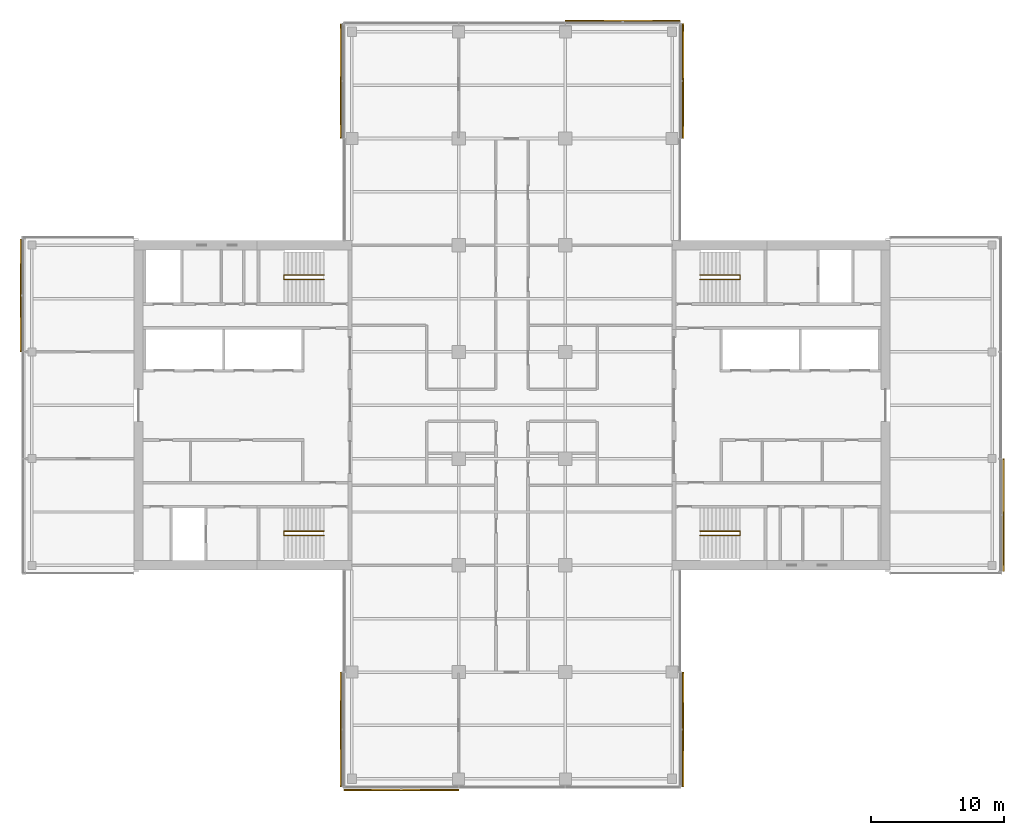
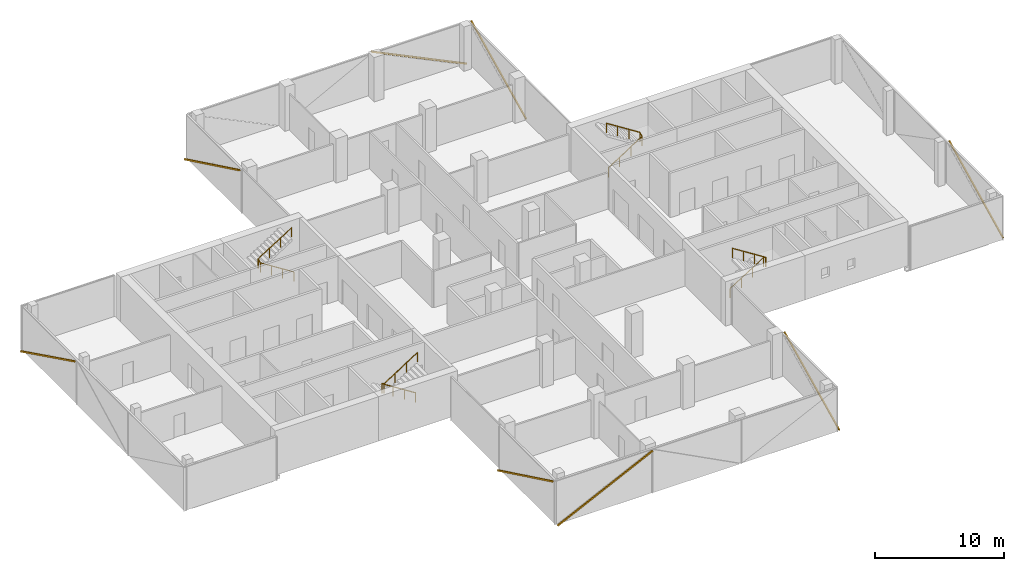
# One storey, part 22 of 22: 8 shading devices, 4 railings, 8 elements without a shape of their own.
"""IFC4 building model written with IfcOpenShell, lengths in metres."""

from ifc_helpers import new_model, si_unit, direction, frame, origin, origin_2d, place, context, subcontext, project, spatial, rectangle, circle, extrude, material, material_profile, profile_set, type_object, element, aggregate, save


model = new_model("IFC4")

# Units and contexts
model_context = context("Model", 3, precision=1e-05, world=origin(), true_north=direction((0.0, 1.0)))
body_context = subcontext(model_context, "Body", "Model", "MODEL_VIEW")
ifc_project = project(units=[si_unit("LENGTHUNIT", "METRE"), si_unit("AREAUNIT", "SQUARE_METRE"), si_unit("VOLUMEUNIT", "CUBIC_METRE"), si_unit("PLANEANGLEUNIT", "RADIAN"), si_unit("MASSUNIT", "GRAM", prefix="KILO")], contexts=[model_context])

# Site, building, storey
site_placement = place(None, origin())
site = spatial("IfcSite", under=ifc_project, at=site_placement, CompositionType="ELEMENT")
building_placement = place(site_placement, origin())
building = spatial("IfcBuilding", under=site, at=building_placement, Name="Crosswind Convention Tower", CompositionType="ELEMENT")
storey_placement = place(building_placement, frame((0.0, 0.0, 163.10009765625)))
storey = spatial("IfcBuildingStorey", under=building, at=storey_placement, Name="L34", CompositionType="ELEMENT", Elevation=163.10009765625)

# Railings
ifc_material_1 = material(Name="Stainless steel", Category="steel")
railing_type = type_object("IfcRailingType", Name="Stair handrail 900", PredefinedType="HANDRAIL", material=ifc_material_1)
railing_1_placement = place(storey_placement, frame((139.10009765625, 109.43994140625, 0.19091796875)))
element("IfcRailing", 1, at=railing_1_placement, inside=storey, type_object=railing_type, Name="Stair ST1 handrail L34", PredefinedType="HANDRAIL", context=body_context, shape_type="SweptSolid", body=[
    extrude(circle(Radius=0.02392578125, at=origin_2d()), frame((0.0, 0.0, 0.8759765625), z_axis=(0.843681277094, 0.0, 0.536844393359), x_axis=(0.0, 1.0, 0.0)), (0.0, 0.0, 1.0), 3.555908203125),
    extrude(circle(Radius=0.02392578125, at=origin_2d()), frame((3.0, 0.0, 2.78466796875), z_axis=(0.0, 0.858819504967, 0.512278301208), x_axis=(-1.0, 0.0, 0.0)), (0.0, 0.0, 1.0), 0.372802734375),
    extrude(circle(Radius=0.02392578125, at=origin_2d()), frame((3.0, 0.320068359375, 2.9755859375), z_axis=(-0.843650179428, 0.0, 0.536893261973), x_axis=(0.0, -1.0, 0.0)), (0.0, 0.0, 1.0), 3.555908203125),
    extrude(circle(Radius=0.02099609375, at=origin_2d()), origin(), (0.0, 0.0, 1.0), 0.851806640625),
    extrude(circle(Radius=0.02099609375, at=origin_2d()), frame((1.0, 0.0, 0.63623046875)), (0.0, 0.0, 1.0), 0.851806640625),
    extrude(circle(Radius=0.02099609375, at=origin_2d()), frame((2.0, 0.0, 1.272705078125)), (0.0, 0.0, 1.0), 0.851806640625),
    extrude(circle(Radius=0.02099609375, at=origin_2d()), frame((3.0, 0.0, 1.908935546875)), (0.0, 0.0, 1.0), 0.851806640625),
    extrude(circle(Radius=0.02099609375, at=origin_2d()), frame((3.0, 0.320068359375, 2.099853515625)), (0.0, 0.0, 1.0), 0.851806640625),
    extrude(circle(Radius=0.02099609375, at=origin_2d()), frame((2.0, 0.320068359375, 2.736328125)), (0.0, 0.0, 1.0), 0.851806640625),
    extrude(circle(Radius=0.02099609375, at=origin_2d()), frame((1.0, 0.320068359375, 3.37255859375)), (0.0, 0.0, 1.0), 0.851806640625),
    extrude(circle(Radius=0.02099609375, at=origin_2d()), frame((0.0, 0.320068359375, 4.009033203125)), (0.0, 0.0, 1.0), 0.851806640625),
])
railing_2_placement = place(storey_placement, frame((139.10009765625, 90.56005859375, 0.19091796875)))
element("IfcRailing", 2, at=railing_2_placement, inside=storey, type_object=railing_type, Name="Stair ST2 handrail L34", PredefinedType="HANDRAIL", context=body_context, shape_type="SweptSolid", body=[
    extrude(circle(Radius=0.02392578125, at=origin_2d()), frame((0.0, 0.0, 0.8759765625), z_axis=(0.843681277094, 0.0, 0.536844393359), x_axis=(0.0, 1.0, 0.0)), (0.0, 0.0, 1.0), 3.555908203125),
    extrude(circle(Radius=0.02392578125, at=origin_2d()), frame((3.0, 0.0, 2.78466796875), z_axis=(0.0, -0.858819504967, 0.512278301208), x_axis=(1.0, 0.0, 0.0)), (0.0, 0.0, 1.0), 0.372802734375),
    extrude(circle(Radius=0.02392578125, at=origin_2d()), frame((3.0, -0.320068359375, 2.9755859375), z_axis=(-0.843650179428, 0.0, 0.536893261973), x_axis=(0.0, -1.0, 0.0)), (0.0, 0.0, 1.0), 3.555908203125),
    extrude(circle(Radius=0.02099609375, at=origin_2d()), origin(), (0.0, 0.0, 1.0), 0.851806640625),
    extrude(circle(Radius=0.02099609375, at=origin_2d()), frame((1.0, 0.0, 0.63623046875)), (0.0, 0.0, 1.0), 0.851806640625),
    extrude(circle(Radius=0.02099609375, at=origin_2d()), frame((2.0, 0.0, 1.272705078125)), (0.0, 0.0, 1.0), 0.851806640625),
    extrude(circle(Radius=0.02099609375, at=origin_2d()), frame((3.0, 0.0, 1.908935546875)), (0.0, 0.0, 1.0), 0.851806640625),
    extrude(circle(Radius=0.02099609375, at=origin_2d()), frame((3.0, -0.320068359375, 2.099853515625)), (0.0, 0.0, 1.0), 0.851806640625),
    extrude(circle(Radius=0.02099609375, at=origin_2d()), frame((2.0, -0.320068359375, 2.736328125)), (0.0, 0.0, 1.0), 0.851806640625),
    extrude(circle(Radius=0.02099609375, at=origin_2d()), frame((1.0, -0.320068359375, 3.37255859375)), (0.0, 0.0, 1.0), 0.851806640625),
    extrude(circle(Radius=0.02099609375, at=origin_2d()), frame((0.0, -0.320068359375, 4.009033203125)), (0.0, 0.0, 1.0), 0.851806640625),
])
railing_3_placement = place(storey_placement, frame((110.89990234375, 90.56005859375, 0.19091796875)))
element("IfcRailing", 3, at=railing_3_placement, inside=storey, type_object=railing_type, Name="Stair ST3 handrail L34", PredefinedType="HANDRAIL", context=body_context, shape_type="SweptSolid", body=[
    extrude(circle(Radius=0.02392578125, at=origin_2d()), frame((0.0, 0.0, 0.8759765625), z_axis=(-0.843681277094, 0.0, 0.536844393359), x_axis=(0.0, -1.0, 0.0)), (0.0, 0.0, 1.0), 3.555908203125),
    extrude(circle(Radius=0.02392578125, at=origin_2d()), frame((-3.0, 0.0, 2.78466796875), z_axis=(0.0, -0.858819504967, 0.512278301208), x_axis=(1.0, 0.0, 0.0)), (0.0, 0.0, 1.0), 0.372802734375),
    extrude(circle(Radius=0.02392578125, at=origin_2d()), frame((-3.0, -0.320068359375, 2.9755859375), z_axis=(0.843650179428, 0.0, 0.536893261973), x_axis=(0.0, 1.0, 0.0)), (0.0, 0.0, 1.0), 3.555908203125),
    extrude(circle(Radius=0.02099609375, at=origin_2d()), origin(), (0.0, 0.0, 1.0), 0.851806640625),
    extrude(circle(Radius=0.02099609375, at=origin_2d()), frame((-1.0, 0.0, 0.63623046875)), (0.0, 0.0, 1.0), 0.851806640625),
    extrude(circle(Radius=0.02099609375, at=origin_2d()), frame((-2.0, 0.0, 1.272705078125)), (0.0, 0.0, 1.0), 0.851806640625),
    extrude(circle(Radius=0.02099609375, at=origin_2d()), frame((-3.0, 0.0, 1.908935546875)), (0.0, 0.0, 1.0), 0.851806640625),
    extrude(circle(Radius=0.02099609375, at=origin_2d()), frame((-3.0, -0.320068359375, 2.099853515625)), (0.0, 0.0, 1.0), 0.851806640625),
    extrude(circle(Radius=0.02099609375, at=origin_2d()), frame((-2.0, -0.320068359375, 2.736328125)), (0.0, 0.0, 1.0), 0.851806640625),
    extrude(circle(Radius=0.02099609375, at=origin_2d()), frame((-1.0, -0.320068359375, 3.37255859375)), (0.0, 0.0, 1.0), 0.851806640625),
    extrude(circle(Radius=0.02099609375, at=origin_2d()), frame((0.0, -0.320068359375, 4.009033203125)), (0.0, 0.0, 1.0), 0.851806640625),
])
railing_4_placement = place(storey_placement, frame((110.89990234375, 109.43994140625, 0.19091796875)))
element("IfcRailing", 4, at=railing_4_placement, inside=storey, type_object=railing_type, Name="Stair ST4 handrail L34", PredefinedType="HANDRAIL", context=body_context, shape_type="SweptSolid", body=[
    extrude(circle(Radius=0.02392578125, at=origin_2d()), frame((0.0, 0.0, 0.8759765625), z_axis=(-0.843681277094, 0.0, 0.536844393359), x_axis=(0.0, -1.0, 0.0)), (0.0, 0.0, 1.0), 3.555908203125),
    extrude(circle(Radius=0.02392578125, at=origin_2d()), frame((-3.0, 0.0, 2.78466796875), z_axis=(0.0, 0.858819504967, 0.512278301208), x_axis=(-1.0, 0.0, 0.0)), (0.0, 0.0, 1.0), 0.372802734375),
    extrude(circle(Radius=0.02392578125, at=origin_2d()), frame((-3.0, 0.320068359375, 2.9755859375), z_axis=(0.843650179428, 0.0, 0.536893261973), x_axis=(0.0, 1.0, 0.0)), (0.0, 0.0, 1.0), 3.555908203125),
    extrude(circle(Radius=0.02099609375, at=origin_2d()), origin(), (0.0, 0.0, 1.0), 0.851806640625),
    extrude(circle(Radius=0.02099609375, at=origin_2d()), frame((-1.0, 0.0, 0.63623046875)), (0.0, 0.0, 1.0), 0.851806640625),
    extrude(circle(Radius=0.02099609375, at=origin_2d()), frame((-2.0, 0.0, 1.272705078125)), (0.0, 0.0, 1.0), 0.851806640625),
    extrude(circle(Radius=0.02099609375, at=origin_2d()), frame((-3.0, 0.0, 1.908935546875)), (0.0, 0.0, 1.0), 0.851806640625),
    extrude(circle(Radius=0.02099609375, at=origin_2d()), frame((-3.0, 0.320068359375, 2.099853515625)), (0.0, 0.0, 1.0), 0.851806640625),
    extrude(circle(Radius=0.02099609375, at=origin_2d()), frame((-2.0, 0.320068359375, 2.736328125)), (0.0, 0.0, 1.0), 0.851806640625),
    extrude(circle(Radius=0.02099609375, at=origin_2d()), frame((-1.0, 0.320068359375, 3.37255859375)), (0.0, 0.0, 1.0), 0.851806640625),
    extrude(circle(Radius=0.02099609375, at=origin_2d()), frame((0.0, 0.320068359375, 4.009033203125)), (0.0, 0.0, 1.0), 0.851806640625),
])

# Curtain wall, shading device
ifc_material_2 = material(Name="Aluminium unitised curtain wall", Category="aluminium")
curtain_wall_type = type_object("IfcCurtainWallType", Name="OFFICE UNITISED WALL 220", PredefinedType="USERDEFINED", material=ifc_material_2)
curtain_wall_1_placement = place(storey_placement, origin())
curtain_wall_1 = element("IfcCurtainWall", 5, at=curtain_wall_1_placement, inside=storey, type_object=curtain_wall_type, Name="CW3 L34 E-TIP 1", ObjectType="UNITISED", PredefinedType="USERDEFINED")
ifc_material_3 = material(Name="Extruded terracotta", Category="masonry")
ifc_material_profile = material_profile(ifc_material_3, rectangle(XDim=0.110107421875, YDim=0.1298828125, at=origin_2d()), Name="TC 110X130")
ifc_profile_set = profile_set([ifc_material_profile], Name="Extruded terracotta")
shading_device_type = type_object("IfcShadingDeviceType", Name="TERRACOTTA BAGUETTE 130X110", PredefinedType="USERDEFINED", material=ifc_profile_set)
shading_device_1_placement = place(storey_placement, frame((161.8310546875, 87.570068359375, -0.300048828125), z_axis=(0.0, 0.897299814718, 0.44142161536), x_axis=(-1.0, 0.0, 0.0)))
shading_device_1 = element("IfcShadingDevice", 6, at=shading_device_1_placement, type_object=shading_device_type, Name="CW3 terracotta baguette 1", ObjectType="BAGUETTE", PredefinedType="USERDEFINED", context=body_context, shape_type="SweptSolid", body=[
    extrude(rectangle(XDim=0.110107421875, YDim=0.1298828125, at=origin_2d()), origin(), (0.0, 0.0, 1.0), 9.35595703125),
])
aggregate(curtain_wall_1, [shading_device_1])

curtain_wall_2_placement = place(storey_placement, origin())
curtain_wall_2 = element("IfcCurtainWall", 7, at=curtain_wall_2_placement, inside=storey, type_object=curtain_wall_type, Name="CW3 L34 N-E 1", ObjectType="UNITISED", PredefinedType="USERDEFINED")
shading_device_2_placement = place(storey_placement, frame((137.8310546875, 120.034912109375, -0.300048828125), z_axis=(0.0, 0.900258180835, 0.435356414723), x_axis=(-1.0, 0.0, 0.0)))
shading_device_2 = element("IfcShadingDevice", 8, at=shading_device_2_placement, type_object=shading_device_type, Name="CW3 terracotta baguette 1", ObjectType="BAGUETTE", PredefinedType="USERDEFINED", context=body_context, shape_type="SweptSolid", body=[
    extrude(rectangle(XDim=0.110107421875, YDim=0.1298828125, at=origin_2d()), origin(), (0.0, 0.0, 1.0), 9.486328125),
])
aggregate(curtain_wall_2, [shading_device_2])

curtain_wall_3_placement = place(storey_placement, origin())
curtain_wall_3 = element("IfcCurtainWall", 9, at=curtain_wall_3_placement, inside=storey, type_object=curtain_wall_type, Name="CW3 L34 N-TIP 1", ObjectType="UNITISED", PredefinedType="USERDEFINED")
shading_device_3_placement = place(storey_placement, frame((137.574951171875, 128.8310546875, -0.300048828125), z_axis=(-0.900258180835, 0.0, 0.435356414723), x_axis=(0.0, -1.0, 0.0)))
shading_device_3 = element("IfcShadingDevice", 10, at=shading_device_3_placement, type_object=shading_device_type, Name="CW3 terracotta baguette 1", ObjectType="BAGUETTE", PredefinedType="USERDEFINED", context=body_context, shape_type="SweptSolid", body=[
    extrude(rectangle(XDim=0.110107421875, YDim=0.1298828125, at=origin_2d()), origin(), (0.0, 0.0, 1.0), 9.486328125),
])
aggregate(curtain_wall_3, [shading_device_3])

curtain_wall_4_placement = place(storey_placement, origin())
curtain_wall_4 = element("IfcCurtainWall", 11, at=curtain_wall_4_placement, inside=storey, type_object=curtain_wall_type, Name="CW3 L34 N-W 1", ObjectType="UNITISED", PredefinedType="USERDEFINED")
shading_device_4_placement = place(storey_placement, frame((112.1689453125, 128.574951171875, -0.300048828125), z_axis=(0.0, -0.900258180835, 0.435356414723), x_axis=(1.0, 0.0, 0.0)))
shading_device_4 = element("IfcShadingDevice", 12, at=shading_device_4_placement, type_object=shading_device_type, Name="CW3 terracotta baguette 1", ObjectType="BAGUETTE", PredefinedType="USERDEFINED", context=body_context, shape_type="SweptSolid", body=[
    extrude(rectangle(XDim=0.110107421875, YDim=0.1298828125, at=origin_2d()), origin(), (0.0, 0.0, 1.0), 9.486328125),
])
aggregate(curtain_wall_4, [shading_device_4])

curtain_wall_5_placement = place(storey_placement, origin())
curtain_wall_5 = element("IfcCurtainWall", 13, at=curtain_wall_5_placement, inside=storey, type_object=curtain_wall_type, Name="CW3 L34 W-TIP 1", ObjectType="UNITISED", PredefinedType="USERDEFINED")
shading_device_5_placement = place(storey_placement, frame((88.1689453125, 112.429931640625, -0.300048828125), z_axis=(0.0, -0.897299814718, 0.44142161536), x_axis=(1.0, 0.0, 0.0)))
shading_device_5 = element("IfcShadingDevice", 14, at=shading_device_5_placement, type_object=shading_device_type, Name="CW3 terracotta baguette 1", ObjectType="BAGUETTE", PredefinedType="USERDEFINED", context=body_context, shape_type="SweptSolid", body=[
    extrude(rectangle(XDim=0.110107421875, YDim=0.1298828125, at=origin_2d()), origin(), (0.0, 0.0, 1.0), 9.35595703125),
])
aggregate(curtain_wall_5, [shading_device_5])

curtain_wall_6_placement = place(storey_placement, origin())
curtain_wall_6 = element("IfcCurtainWall", 15, at=curtain_wall_6_placement, inside=storey, type_object=curtain_wall_type, Name="CW3 L34 S-W 1", ObjectType="UNITISED", PredefinedType="USERDEFINED")
shading_device_6_placement = place(storey_placement, frame((112.1689453125, 79.965087890625, -0.300048828125), z_axis=(0.0, -0.900258180835, 0.435356414723), x_axis=(1.0, 0.0, 0.0)))
shading_device_6 = element("IfcShadingDevice", 16, at=shading_device_6_placement, type_object=shading_device_type, Name="CW3 terracotta baguette 1", ObjectType="BAGUETTE", PredefinedType="USERDEFINED", context=body_context, shape_type="SweptSolid", body=[
    extrude(rectangle(XDim=0.110107421875, YDim=0.1298828125, at=origin_2d()), origin(), (0.0, 0.0, 1.0), 9.486328125),
])
aggregate(curtain_wall_6, [shading_device_6])

curtain_wall_7_placement = place(storey_placement, origin())
curtain_wall_7 = element("IfcCurtainWall", 17, at=curtain_wall_7_placement, inside=storey, type_object=curtain_wall_type, Name="CW3 L34 S-TIP 1", ObjectType="UNITISED", PredefinedType="USERDEFINED")
shading_device_7_placement = place(storey_placement, frame((112.425048828125, 71.1689453125, -0.300048828125), z_axis=(0.900258180835, 0.0, 0.435356414723), x_axis=(0.0, 1.0, 0.0)))
shading_device_7 = element("IfcShadingDevice", 18, at=shading_device_7_placement, type_object=shading_device_type, Name="CW3 terracotta baguette 1", ObjectType="BAGUETTE", PredefinedType="USERDEFINED", context=body_context, shape_type="SweptSolid", body=[
    extrude(rectangle(XDim=0.110107421875, YDim=0.1298828125, at=origin_2d()), origin(), (0.0, 0.0, 1.0), 9.486328125),
])
aggregate(curtain_wall_7, [shading_device_7])

curtain_wall_8_placement = place(storey_placement, origin())
curtain_wall_8 = element("IfcCurtainWall", 19, at=curtain_wall_8_placement, inside=storey, type_object=curtain_wall_type, Name="CW3 L34 S-E 1", ObjectType="UNITISED", PredefinedType="USERDEFINED")
shading_device_8_placement = place(storey_placement, frame((137.8310546875, 71.425048828125, -0.300048828125), z_axis=(0.0, 0.900258180835, 0.435356414723), x_axis=(-1.0, 0.0, 0.0)))
shading_device_8 = element("IfcShadingDevice", 20, at=shading_device_8_placement, type_object=shading_device_type, Name="CW3 terracotta baguette 1", ObjectType="BAGUETTE", PredefinedType="USERDEFINED", context=body_context, shape_type="SweptSolid", body=[
    extrude(rectangle(XDim=0.110107421875, YDim=0.1298828125, at=origin_2d()), origin(), (0.0, 0.0, 1.0), 9.486328125),
])
aggregate(curtain_wall_8, [shading_device_8])

save(model, "model.ifc")
